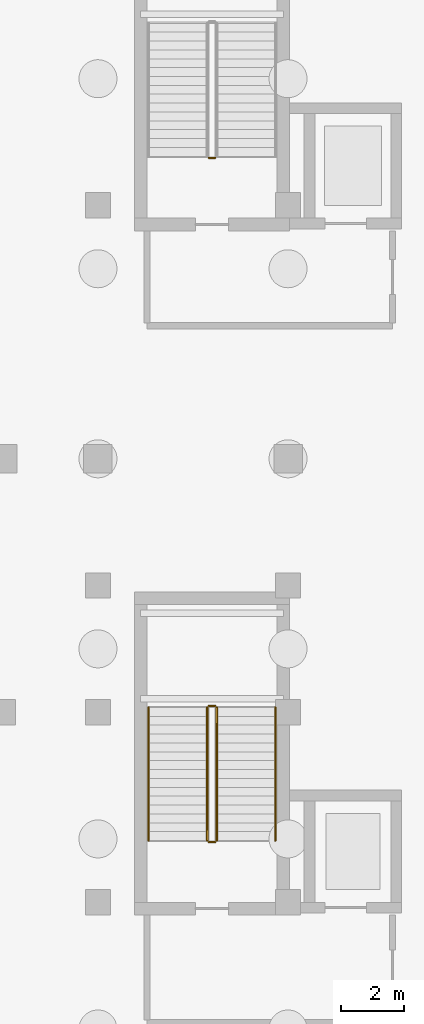
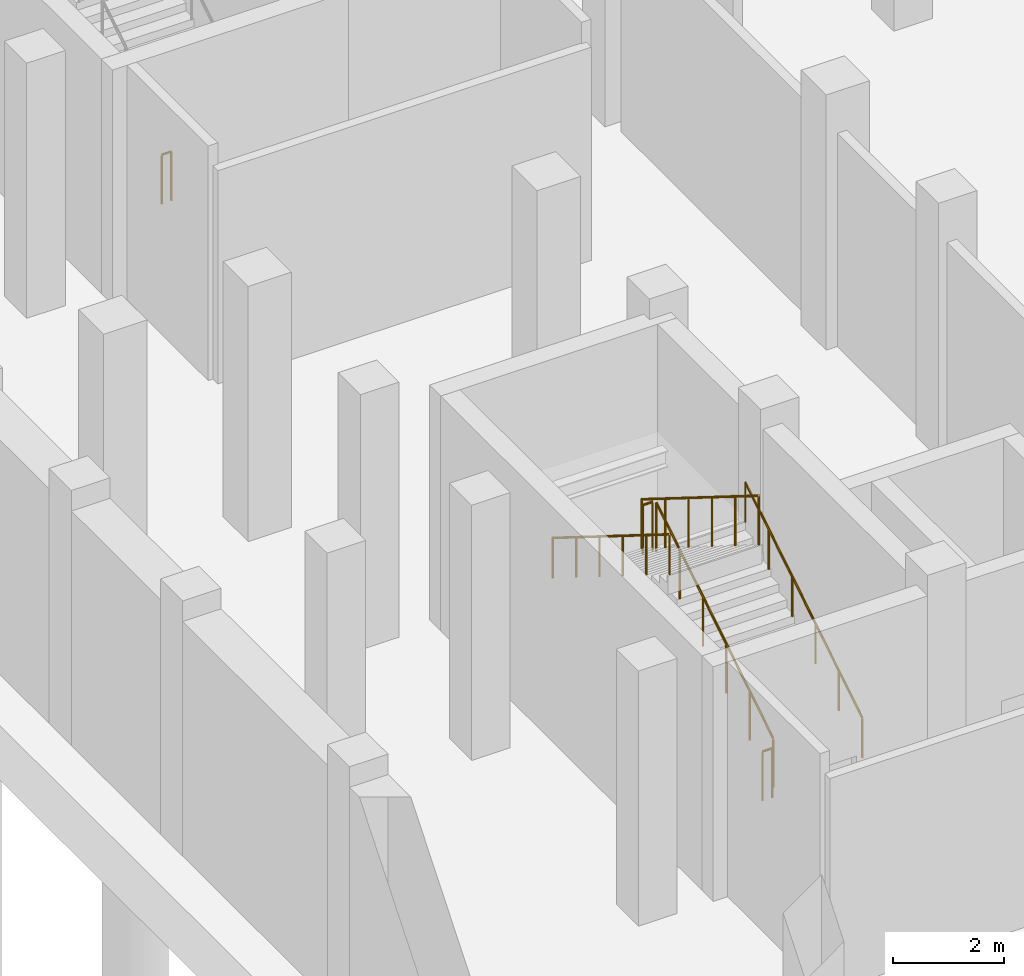
# One storey, part 22 of 26: 7 railings.
"""IFC4 building model written with IfcOpenShell, lengths in metres."""

from ifc_helpers import new_model, si_unit, direction, frame, origin, origin_2d, place, context, subcontext, project, spatial, circle, extrude, material, type_object, element, save


model = new_model("IFC4")

# Units and contexts
model_context = context("Model", 3, precision=1e-05, world=origin(), true_north=direction((0.0, 1.0)))
body_context = subcontext(model_context, "Body", "Model", "MODEL_VIEW")
ifc_project = project(units=[si_unit("LENGTHUNIT", "METRE"), si_unit("AREAUNIT", "SQUARE_METRE"), si_unit("VOLUMEUNIT", "CUBIC_METRE"), si_unit("PLANEANGLEUNIT", "RADIAN"), si_unit("MASSUNIT", "GRAM", prefix="KILO")], contexts=[model_context])

# Site, building, storey
site_placement = place(None, origin())
site = spatial("IfcSite", under=ifc_project, at=site_placement, CompositionType="ELEMENT")
building_placement = place(site_placement, origin())
building = spatial("IfcBuilding", under=site, at=building_placement, Name="Verrall Gate Interchange", CompositionType="ELEMENT")
storey_placement = place(building_placement, frame((0.0, 0.0, -10.39990234375)))
storey = spatial("IfcBuildingStorey", under=building, at=storey_placement, Name="B2", CompositionType="ELEMENT", Elevation=-10.39990234375)

# Railings
ifc_material_1 = material(Name="Brushed Stainless-Steel Guardrail and Handrail System", Category="steel")
railing_type_1 = type_object("IfcRailingType", Name="GR-02 Interior Atrium and Stair Guardrail 1100", PredefinedType="GUARDRAIL", material=ifc_material_1)
railing_1_placement = place(storey_placement, frame((9.75, 35.949951171875, 0.1748046875)))
element("IfcRailing", 1, at=railing_1_placement, inside=storey, type_object=railing_type_1, Name="B2 ST-02 stair guard 1", PredefinedType="GUARDRAIL", context=body_context, shape_type="SweptSolid", body=[
    extrude(circle(Radius=0.02392578125, at=origin_2d()), frame((0.0, 0.0, 1.076171875), z_axis=(0.0, 0.847995534698, 0.530003370869), x_axis=(-1.0, 0.0, 0.0)), (0.0, 0.0, 1.0), 4.952880859375),
    extrude(circle(Radius=0.02099609375, at=origin_2d()), origin(), (0.0, 0.0, 1.0), 1.052001953125),
    extrude(circle(Radius=0.02099609375, at=origin_2d()), frame((0.0, 0.840087890625, 0.52490234375)), (0.0, 0.0, 1.0), 1.052001953125),
    extrude(circle(Radius=0.02099609375, at=origin_2d()), frame((0.0, 1.679931640625, 1.050048828125)), (0.0, 0.0, 1.0), 1.052001953125),
    extrude(circle(Radius=0.02099609375, at=origin_2d()), frame((0.0, 2.52001953125, 1.574951171875)), (0.0, 0.0, 1.0), 1.052001953125),
    extrude(circle(Radius=0.02099609375, at=origin_2d()), frame((0.0, 3.35986328125, 2.10009765625)), (0.0, 0.0, 1.0), 1.052001953125),
    extrude(circle(Radius=0.02099609375, at=origin_2d()), frame((0.0, 4.199951171875, 2.625)), (0.0, 0.0, 1.0), 1.052001953125),
])
railing_2_placement = place(storey_placement, frame((9.699951171875, 40.199951171875, 2.7998046875)))
element("IfcRailing", 2, at=railing_2_placement, inside=storey, type_object=railing_type_1, Name="B2 ST-02 stair guard 2", PredefinedType="GUARDRAIL", context=body_context, shape_type="SweptSolid", body=[
    extrude(circle(Radius=0.02392578125, at=origin_2d()), frame((0.0, 0.0, 1.076171875), z_axis=(-1.0, 0.0, 0.0), x_axis=(0.0, -1.0, 0.0)), (0.0, 0.0, 1.0), 0.199951171875),
    extrude(circle(Radius=0.02099609375, at=origin_2d()), origin(), (0.0, 0.0, 1.0), 1.052001953125),
    extrude(circle(Radius=0.02099609375, at=origin_2d()), frame((-0.199951171875, 0.0, 0.0)), (0.0, 0.0, 1.0), 1.052001953125),
])
railing_3_placement = place(storey_placement, frame((9.449951171875, 40.14990234375, 2.974853515625)))
element("IfcRailing", 3, at=railing_3_placement, inside=storey, type_object=railing_type_1, Name="B2 ST-02 stair guard 3", PredefinedType="GUARDRAIL", context=body_context, shape_type="SweptSolid", body=[
    extrude(circle(Radius=0.02392578125, at=origin_2d()), frame((0.0, 0.0, 1.076171875), z_axis=(0.0, -0.847995534698, 0.530003370869), x_axis=(1.0, 0.0, 0.0)), (0.0, 0.0, 1.0), 4.952880859375),
    extrude(circle(Radius=0.02099609375, at=origin_2d()), origin(), (0.0, 0.0, 1.0), 1.052001953125),
    extrude(circle(Radius=0.02099609375, at=origin_2d()), frame((0.0, -0.840087890625, 0.52490234375)), (0.0, 0.0, 1.0), 1.052001953125),
    extrude(circle(Radius=0.02099609375, at=origin_2d()), frame((0.0, -1.679931640625, 1.050048828125)), (0.0, 0.0, 1.0), 1.052001953125),
    extrude(circle(Radius=0.02099609375, at=origin_2d()), frame((0.0, -2.52001953125, 1.574951171875)), (0.0, 0.0, 1.0), 1.052001953125),
    extrude(circle(Radius=0.02099609375, at=origin_2d()), frame((0.0, -3.35986328125, 2.10009765625)), (0.0, 0.0, 1.0), 1.052001953125),
    extrude(circle(Radius=0.02099609375, at=origin_2d()), frame((0.0, -4.199951171875, 2.625)), (0.0, 0.0, 1.0), 1.052001953125),
])
for number, where, name in (
    (4, (9.699951171875, 35.89990234375, 0.0), "B2 ST-02 stair guard 4"),
    (5, (9.699951171875, 57.5, 0.0), "B2 ST-03 stair guard 4"),
):
    element("IfcRailing", number, at=place(storey_placement, frame(where)), inside=storey, type_object=railing_type_1, Name=name, PredefinedType="GUARDRAIL", context=body_context, shape_type="SweptSolid", body=[
        extrude(circle(Radius=0.02392578125, at=origin_2d()), frame((0.0, 0.0, 1.076171875), z_axis=(-1.0, 0.0, 0.0), x_axis=(0.0, -1.0, 0.0)), (0.0, 0.0, 1.0), 0.199951171875),
        extrude(circle(Radius=0.02099609375, at=origin_2d()), origin(), (0.0, 0.0, 1.0), 1.052001953125),
        extrude(circle(Radius=0.02099609375, at=origin_2d()), frame((-0.199951171875, 0.0, 0.0)), (0.0, 0.0, 1.0), 1.052001953125),
    ])
ifc_material_2 = material(Name="Brushed Stainless-Steel Guardrail and Handrail System", Category="steel")
railing_type_2 = type_object("IfcRailingType", Name="HR-01 Stair and Ramp Pitch-Line Handrail 920", PredefinedType="HANDRAIL", material=ifc_material_2)
railing_4_placement = place(storey_placement, frame((11.60009765625, 35.949951171875, 0.1748046875)))
element("IfcRailing", 6, at=railing_4_placement, inside=storey, type_object=railing_type_2, Name="B2 ST-02 stair handrail 1", PredefinedType="HANDRAIL", context=body_context, shape_type="SweptSolid", body=[
    extrude(circle(Radius=0.02392578125, at=origin_2d()), frame((0.0, 0.0, 0.8759765625), z_axis=(0.0, 0.847995534698, 0.530003370869), x_axis=(-1.0, 0.0, 0.0)), (0.0, 0.0, 1.0), 4.952880859375),
    extrude(circle(Radius=0.02099609375, at=origin_2d()), origin(), (0.0, 0.0, 1.0), 0.851806640625),
    extrude(circle(Radius=0.02099609375, at=origin_2d()), frame((0.0, 0.840087890625, 0.52490234375)), (0.0, 0.0, 1.0), 0.851806640625),
    extrude(circle(Radius=0.02099609375, at=origin_2d()), frame((0.0, 1.679931640625, 1.050048828125)), (0.0, 0.0, 1.0), 0.851806640625),
    extrude(circle(Radius=0.02099609375, at=origin_2d()), frame((0.0, 2.52001953125, 1.574951171875)), (0.0, 0.0, 1.0), 0.851806640625),
    extrude(circle(Radius=0.02099609375, at=origin_2d()), frame((0.0, 3.35986328125, 2.10009765625)), (0.0, 0.0, 1.0), 0.851806640625),
    extrude(circle(Radius=0.02099609375, at=origin_2d()), frame((0.0, 4.199951171875, 2.625)), (0.0, 0.0, 1.0), 0.851806640625),
])
railing_5_placement = place(storey_placement, frame((7.60009765625, 40.14990234375, 2.974853515625)))
element("IfcRailing", 7, at=railing_5_placement, inside=storey, type_object=railing_type_2, Name="B2 ST-02 stair handrail 2", PredefinedType="HANDRAIL", context=body_context, shape_type="SweptSolid", body=[
    extrude(circle(Radius=0.02392578125, at=origin_2d()), frame((0.0, 0.0, 0.8759765625), z_axis=(0.0, -0.847995534698, 0.530003370869), x_axis=(1.0, 0.0, 0.0)), (0.0, 0.0, 1.0), 4.952880859375),
    extrude(circle(Radius=0.02099609375, at=origin_2d()), origin(), (0.0, 0.0, 1.0), 0.851806640625),
    extrude(circle(Radius=0.02099609375, at=origin_2d()), frame((0.0, -0.840087890625, 0.52490234375)), (0.0, 0.0, 1.0), 0.851806640625),
    extrude(circle(Radius=0.02099609375, at=origin_2d()), frame((0.0, -1.679931640625, 1.050048828125)), (0.0, 0.0, 1.0), 0.851806640625),
    extrude(circle(Radius=0.02099609375, at=origin_2d()), frame((0.0, -2.52001953125, 1.574951171875)), (0.0, 0.0, 1.0), 0.851806640625),
    extrude(circle(Radius=0.02099609375, at=origin_2d()), frame((0.0, -3.35986328125, 2.10009765625)), (0.0, 0.0, 1.0), 0.851806640625),
    extrude(circle(Radius=0.02099609375, at=origin_2d()), frame((0.0, -4.199951171875, 2.625)), (0.0, 0.0, 1.0), 0.851806640625),
])

save(model, "model.ifc")
